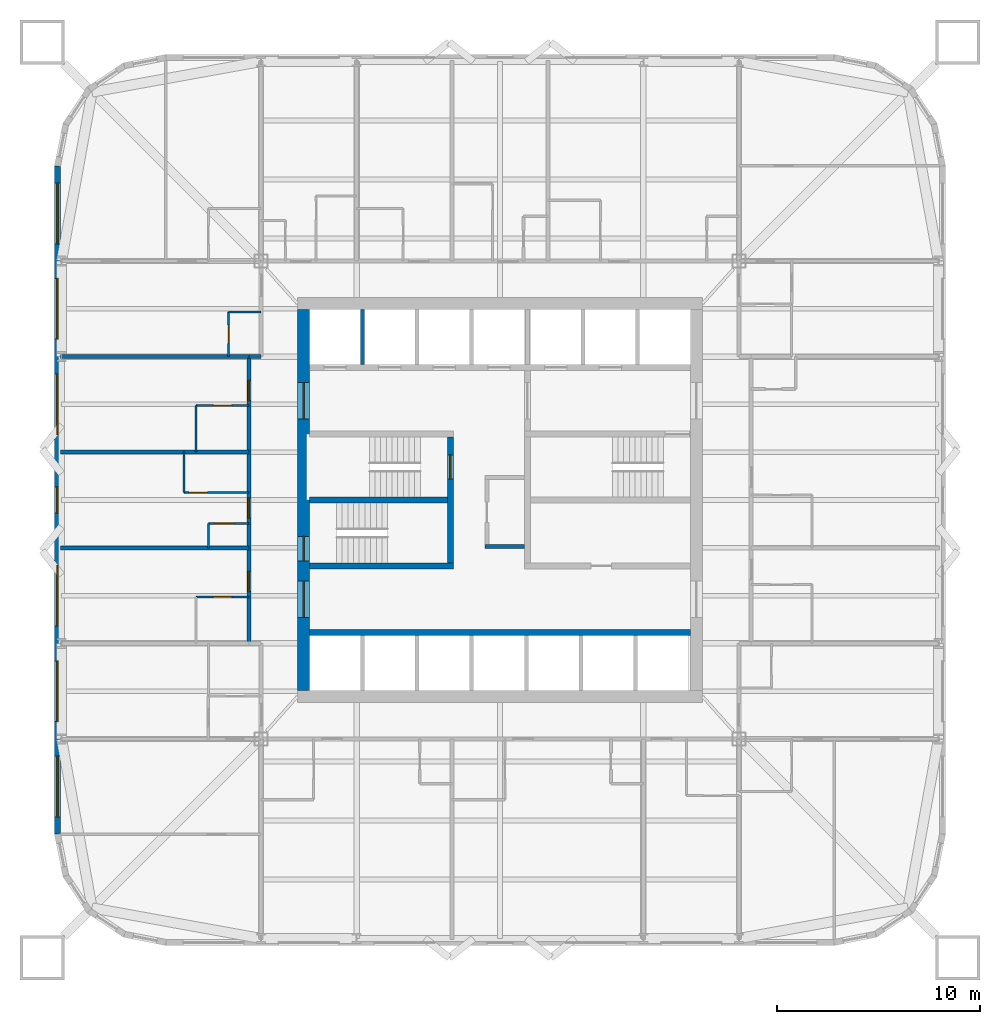
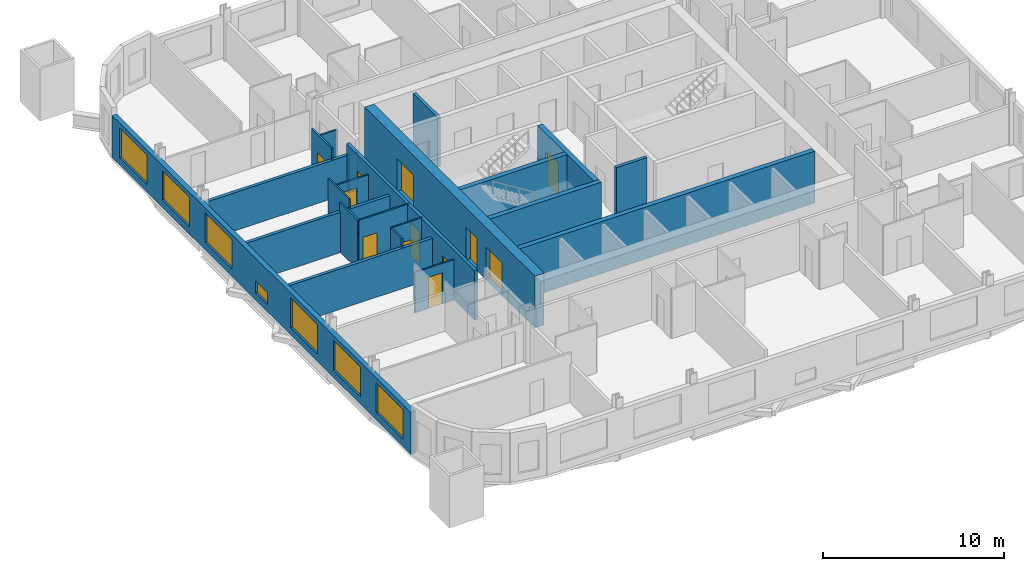
# One storey, part 4 of 10: 22 walls, 12 doors, 7 windows, 19 openings.
"""IFC4 building model written with IfcOpenShell, lengths in metres."""

from ifc_helpers import new_model, si_unit, direction, frame, frame_2d, origin, place, context, subcontext, project, spatial, rectangle, extrude, material, layer, layer_set, type_object, element, fill, save


model = new_model("IFC4")

# Units and contexts
model_context = context("Model", 3, precision=1e-05, world=origin(), true_north=direction((0.0, 1.0)))
body_context = subcontext(model_context, "Body", "Model", "MODEL_VIEW")
ifc_project = project(units=[si_unit("LENGTHUNIT", "METRE"), si_unit("AREAUNIT", "SQUARE_METRE"), si_unit("VOLUMEUNIT", "CUBIC_METRE"), si_unit("PLANEANGLEUNIT", "RADIAN"), si_unit("MASSUNIT", "GRAM", prefix="KILO")], contexts=[model_context])

# Site, building, storey
site_placement = place(None, origin())
site = spatial("IfcSite", under=ifc_project, at=site_placement, CompositionType="ELEMENT")
building_placement = place(site_placement, origin())
building = spatial("IfcBuilding", under=site, at=building_placement, Name="Turquesa Mirador Hotel Tower", CompositionType="ELEMENT")
storey_placement = place(building_placement, frame((0.0, 0.0, 53.0)))
storey = spatial("IfcBuildingStorey", under=building, at=storey_placement, Name="L13", CompositionType="ELEMENT", Elevation=53.0)

# Wall, opening, door
ifc_material_1 = material(Name="Gypsum board on steel studs", Category="steel")
ifc_layer_1 = layer(ifc_material_1, 0.10009765625)
ifc_layer_set_1 = layer_set([ifc_layer_1], Name="BATHROOM WALL 100")
wall_type_1 = type_object("IfcWallType", Name="BATHROOM WALL 100", PredefinedType="PARTITIONING", material=ifc_layer_set_1)
wall_1_placement = place(storey_placement, frame((40.60009765625, 43.840087890625, 0.0), z_axis=(0.0, 0.0, 1.0), x_axis=(1.0, 0.0, 0.0)))
wall_1 = element("IfcWall", 1, at=wall_1_placement, inside=storey, type_object=wall_type_1, Name="Partition L13 001", PredefinedType="PARTITIONING", context=body_context, shape_type="SweptSolid", body=[
    extrude(rectangle(XDim=2.0, YDim=0.10009765625, at=frame_2d((1.0, 0.0))), origin(), (0.0, 0.0, 1.0), 3.330078125),
])
opening_1_placement = place(wall_1_placement, frame((0.35009765625, 0.0, 0.0)))
opening_1 = element("IfcOpeningElement", 2, at=opening_1_placement, cuts=wall_1, Name="Opening D06", PredefinedType="OPENING", context=body_context, shape_type="SweptSolid", body=[
    extrude(rectangle(XDim=0.89990234375, YDim=2.10009765625, at=frame_2d((0.449951171875, 1.050048828125))), frame((0.0, 0.06005859375, 0.0), z_axis=(0.0, -1.0, 0.0), x_axis=(1.0, 0.0, 0.0)), (0.0, 0.0, 1.0), 0.1201171875),
])
ifc_material_2 = material(Name="Laminate door", Category="wood")
door_type_1 = type_object("IfcDoorType", Name="DOOR 900X2100 WC", OperationType="SINGLE_SWING_LEFT", PredefinedType="DOOR", material=ifc_material_2)
door_1_placement = place(opening_1_placement, origin())
door_1 = element("IfcDoor", 3, at=door_1_placement, inside=storey, type_object=door_type_1, Name="Door 1311W", OperationType="SINGLE_SWING_LEFT", OverallHeight=2.10009765625, OverallWidth=0.89990234375, PredefinedType="DOOR", context=body_context, shape_type="SweptSolid", body=[
    extrude(rectangle(XDim=0.89990234375, YDim=2.10009765625, at=frame_2d((0.449951171875, 1.050048828125))), frame((0.0, 0.02490234375, 0.0), z_axis=(0.0, -1.0, 0.0), x_axis=(1.0, 0.0, 0.0)), (0.0, 0.0, 1.0), 0.050048828125),
])
fill(opening_1, door_1)

wall_2_placement = place(storey_placement, frame((40.0, 40.219970703125, 0.0), z_axis=(0.0, 0.0, 1.0), x_axis=(1.0, 0.0, 0.0)))
wall_2 = element("IfcWall", 4, at=wall_2_placement, inside=storey, type_object=wall_type_1, Name="Partition L13 016", PredefinedType="PARTITIONING", context=body_context, shape_type="SweptSolid", body=[
    extrude(rectangle(XDim=2.60009765625, YDim=0.10009765625, at=frame_2d((1.300048828125, 0.0))), origin(), (0.0, 0.0, 1.0), 2.722900390625),
])
opening_2_placement = place(wall_2_placement, frame((0.85009765625, 0.0, 0.0)))
opening_2 = element("IfcOpeningElement", 5, at=opening_2_placement, cuts=wall_2, Name="Opening D02", PredefinedType="OPENING", context=body_context, shape_type="SweptSolid", body=[
    extrude(rectangle(XDim=0.89990234375, YDim=2.10009765625, at=frame_2d((0.449951171875, 1.050048828125))), frame((0.0, 0.06005859375, 0.0), z_axis=(0.0, -1.0, 0.0), x_axis=(1.0, 0.0, 0.0)), (0.0, 0.0, 1.0), 0.1201171875),
])
ifc_material_3 = material(Name="Timber veneered door", Category="wood")
door_type_2 = type_object("IfcDoorType", Name="DOOR 900X2100 EN-SUITE", OperationType="SINGLE_SWING_RIGHT", PredefinedType="DOOR", material=ifc_material_3)
door_2_placement = place(opening_2_placement, origin())
door_2 = element("IfcDoor", 6, at=door_2_placement, inside=storey, type_object=door_type_2, Name="Door 1310B", OperationType="SINGLE_SWING_RIGHT", OverallHeight=2.10009765625, OverallWidth=0.89990234375, PredefinedType="DOOR", context=body_context, shape_type="SweptSolid", body=[
    extrude(rectangle(XDim=0.89990234375, YDim=2.10009765625, at=frame_2d((0.449951171875, 1.050048828125))), frame((0.0, 0.02490234375, 0.0), z_axis=(0.0, -1.0, 0.0), x_axis=(1.0, 0.0, 0.0)), (0.0, 0.0, 1.0), 0.050048828125),
])
fill(opening_2, door_2)

wall_3_placement = place(storey_placement, frame((39.39990234375, 45.360107421875, 0.0), z_axis=(0.0, 0.0, 1.0), x_axis=(1.0, 0.0, 0.0)))
wall_3 = element("IfcWall", 7, at=wall_3_placement, inside=storey, type_object=wall_type_1, Name="Partition L13 024", PredefinedType="PARTITIONING", context=body_context, shape_type="SweptSolid", body=[
    extrude(rectangle(XDim=3.2001953125, YDim=0.10009765625, at=frame_2d((1.60009765625, 0.0))), origin(), (0.0, 0.0, 1.0), 3.330078125),
])
opening_3_placement = place(wall_3_placement, frame((0.25, 0.0, 0.0)))
opening_3 = element("IfcOpeningElement", 8, at=opening_3_placement, cuts=wall_3, Name="Opening D02", PredefinedType="OPENING", context=body_context, shape_type="SweptSolid", body=[
    extrude(rectangle(XDim=0.89990234375, YDim=2.10009765625, at=frame_2d((0.449951171875, 1.050048828125))), frame((0.0, 0.06005859375, 0.0), z_axis=(0.0, -1.0, 0.0), x_axis=(1.0, 0.0, 0.0)), (0.0, 0.0, 1.0), 0.1201171875),
])
door_3_placement = place(opening_3_placement, origin())
door_3 = element("IfcDoor", 9, at=door_3_placement, inside=storey, type_object=door_type_2, Name="Door 1311B", OperationType="SINGLE_SWING_RIGHT", OverallHeight=2.10009765625, OverallWidth=0.89990234375, PredefinedType="DOOR", context=body_context, shape_type="SweptSolid", body=[
    extrude(rectangle(XDim=0.89990234375, YDim=2.10009765625, at=frame_2d((0.449951171875, 1.050048828125))), frame((0.0, 0.02490234375, 0.0), z_axis=(0.0, -1.0, 0.0), x_axis=(1.0, 0.0, 0.0)), (0.0, 0.0, 1.0), 0.050048828125),
])
fill(opening_3, door_3)

wall_4_placement = place(storey_placement, frame((40.0, 49.659912109375, 0.0), z_axis=(0.0, 0.0, 1.0), x_axis=(1.0, 0.0, 0.0)))
wall_4 = element("IfcWall", 10, at=wall_4_placement, inside=storey, type_object=wall_type_1, Name="Partition L13 039", PredefinedType="PARTITIONING", context=body_context, shape_type="SweptSolid", body=[
    extrude(rectangle(XDim=2.60009765625, YDim=0.10009765625, at=frame_2d((1.300048828125, 0.0))), origin(), (0.0, 0.0, 1.0), 2.722900390625),
])
opening_4_placement = place(wall_4_placement, frame((0.85009765625, 0.0, 0.0)))
opening_4 = element("IfcOpeningElement", 11, at=opening_4_placement, cuts=wall_4, Name="Opening D02", PredefinedType="OPENING", context=body_context, shape_type="SweptSolid", body=[
    extrude(rectangle(XDim=0.89990234375, YDim=2.10009765625, at=frame_2d((0.449951171875, 1.050048828125))), frame((0.0, 0.06005859375, 0.0), z_axis=(0.0, -1.0, 0.0), x_axis=(1.0, 0.0, 0.0)), (0.0, 0.0, 1.0), 0.1201171875),
])
door_4_placement = place(opening_4_placement, origin())
door_4 = element("IfcDoor", 12, at=door_4_placement, inside=storey, type_object=door_type_2, Name="Door 1312B", OperationType="SINGLE_SWING_RIGHT", OverallHeight=2.10009765625, OverallWidth=0.89990234375, PredefinedType="DOOR", context=body_context, shape_type="SweptSolid", body=[
    extrude(rectangle(XDim=0.89990234375, YDim=2.10009765625, at=frame_2d((0.449951171875, 1.050048828125))), frame((0.0, 0.02490234375, 0.0), z_axis=(0.0, -1.0, 0.0), x_axis=(1.0, 0.0, 0.0)), (0.0, 0.0, 1.0), 0.050048828125),
])
fill(opening_4, door_4)

# Wall
wall_5_placement = place(storey_placement, frame((41.60009765625, 54.280029296875, 0.0), z_axis=(0.0, 0.0, 1.0), x_axis=(1.0, 0.0, 0.0)))
element("IfcWall", 13, at=wall_5_placement, inside=storey, type_object=wall_type_1, Name="Partition L13 046", PredefinedType="PARTITIONING", context=body_context, shape_type="SweptSolid", body=[
    extrude(rectangle(XDim=1.599853515625, YDim=0.10009765625, at=frame_2d((0.7998046875, 0.0))), origin(), (0.0, 0.0, 1.0), 2.722900390625),
])

# Wall, opening, door
wall_6_placement = place(storey_placement, frame((41.60009765625, 52.080078125, 0.0), z_axis=(0.0, 0.0, 1.0), x_axis=(0.0, 1.0, 0.0)))
wall_6 = element("IfcWall", 14, at=wall_6_placement, inside=storey, type_object=wall_type_1, Name="Partition L13 055", PredefinedType="PARTITIONING", context=body_context, shape_type="SweptSolid", body=[
    extrude(rectangle(XDim=2.199951171875, YDim=0.10009765625, at=frame_2d((1.10009765625, 0.0))), origin(), (0.0, 0.0, 1.0), 3.330078125),
])
opening_5_placement = place(wall_6_placement, frame((0.64990234375, 0.0, 0.0)))
opening_5 = element("IfcOpeningElement", 15, at=opening_5_placement, cuts=wall_6, Name="Opening D06", PredefinedType="OPENING", context=body_context, shape_type="SweptSolid", body=[
    extrude(rectangle(XDim=0.89990234375, YDim=2.10009765625, at=frame_2d((0.449951171875, 1.050048828125))), frame((0.0, 0.06005859375, 0.0), z_axis=(0.0, -1.0, 0.0), x_axis=(1.0, 0.0, 0.0)), (0.0, 0.0, 1.0), 0.1201171875),
])
door_5_placement = place(opening_5_placement, origin())
door_5 = element("IfcDoor", 16, at=door_5_placement, inside=storey, type_object=door_type_1, Name="Door 1314W", OperationType="SINGLE_SWING_LEFT", OverallHeight=2.10009765625, OverallWidth=0.89990234375, PredefinedType="DOOR", context=body_context, shape_type="SweptSolid", body=[
    extrude(rectangle(XDim=0.89990234375, YDim=2.10009765625, at=frame_2d((0.449951171875, 1.050048828125))), frame((0.0, 0.02490234375, 0.0), z_axis=(0.0, -1.0, 0.0), x_axis=(1.0, 0.0, 0.0)), (0.0, 0.0, 1.0), 0.050048828125),
])
fill(opening_5, door_5)

# Walls
wall_7_placement = place(storey_placement, frame((40.60009765625, 42.639892578125, 0.0), z_axis=(0.0, 0.0, 1.0), x_axis=(0.0, 1.0, 0.0)))
element("IfcWall", 17, at=wall_7_placement, inside=storey, type_object=wall_type_1, Name="Partition L13 057", PredefinedType="PARTITIONING", context=body_context, shape_type="SweptSolid", body=[
    extrude(rectangle(XDim=1.2001953125, YDim=0.10009765625, at=frame_2d((0.60009765625, 0.0))), origin(), (0.0, 0.0, 1.0), 3.330078125),
])
wall_8_placement = place(storey_placement, frame((40.0, 47.360107421875, 0.0), z_axis=(0.0, 0.0, 1.0), x_axis=(0.0, 1.0, 0.0)))
element("IfcWall", 18, at=wall_8_placement, inside=storey, type_object=wall_type_1, Name="Partition L13 061", PredefinedType="PARTITIONING", context=body_context, shape_type="SweptSolid", body=[
    extrude(rectangle(XDim=2.2998046875, YDim=0.10009765625, at=frame_2d((1.14990234375, 0.0))), origin(), (0.0, 0.0, 1.0), 3.330078125),
])
wall_9_placement = place(storey_placement, frame((39.39990234375, 45.360107421875, 0.0), z_axis=(0.0, 0.0, 1.0), x_axis=(0.0, 1.0, 0.0)))
element("IfcWall", 19, at=wall_9_placement, inside=storey, type_object=wall_type_1, Name="Partition L13 062", PredefinedType="PARTITIONING", context=body_context, shape_type="SweptSolid", body=[
    extrude(rectangle(XDim=2.0, YDim=0.10009765625, at=frame_2d((1.0, 0.0))), origin(), (0.0, 0.0, 1.0), 3.330078125),
])
ifc_material_4 = material(Name="Concrete C50/60", Category="concrete")
ifc_layer_2 = layer(ifc_material_4, 0.300048828125)
ifc_layer_set_2 = layer_set([ifc_layer_2], Name="CORE INNER WALL 300")
wall_type_2 = type_object("IfcWallType", Name="CORE INNER WALL 300", PredefinedType="SHEAR", material=ifc_layer_set_2)
wall_10_placement = place(storey_placement, frame((45.60009765625, 38.449951171875, 0.0), z_axis=(0.0, 0.0, 1.0), x_axis=(1.0, 0.0, 0.0)))
element("IfcWall", 20, at=wall_10_placement, inside=storey, type_object=wall_type_2, Name="Core wall SL", PredefinedType="SHEAR", context=body_context, shape_type="SweptSolid", body=[
    extrude(rectangle(XDim=18.7998046875, YDim=0.300048828125, at=frame_2d((9.39990234375, 0.0))), origin(), (0.0, 0.0, 1.0), 3.5),
])
wall_11_placement = place(storey_placement, frame((45.60009765625, 41.75, 0.0), z_axis=(0.0, 0.0, 1.0), x_axis=(1.0, 0.0, 0.0)))
element("IfcWall", 21, at=wall_11_placement, inside=storey, type_object=wall_type_2, Name="Core wall MS-W", PredefinedType="SHEAR", context=body_context, shape_type="SweptSolid", body=[
    extrude(rectangle(XDim=7.099853515625, YDim=0.300048828125, at=frame_2d((3.5498046875, 0.0))), origin(), (0.0, 0.0, 1.0), 3.5),
])

# Wall, opening, door
wall_12_placement = place(storey_placement, frame((52.550048828125, 41.89990234375, 0.0), z_axis=(0.0, 0.0, 1.0), x_axis=(0.0, 1.0, 0.0)))
wall_12 = element("IfcWall", 22, at=wall_12_placement, inside=storey, type_object=wall_type_2, Name="Core wall PW", PredefinedType="SHEAR", context=body_context, shape_type="SweptSolid", body=[
    extrude(rectangle(XDim=6.2001953125, YDim=0.300048828125, at=frame_2d((3.10009765625, 0.0))), origin(), (0.0, 0.0, 1.0), 3.5),
])
opening_6_placement = place(wall_12_placement, frame((4.125, 0.0, 0.0)))
opening_6 = element("IfcOpeningElement", 23, at=opening_6_placement, cuts=wall_12, Name="Opening D03", PredefinedType="OPENING", context=body_context, shape_type="SweptSolid", body=[
    extrude(rectangle(XDim=1.199951171875, YDim=2.199951171875, at=frame_2d((0.60009765625, 1.10009765625))), frame((0.0, 0.159912109375, 0.0), z_axis=(0.0, -1.0, 0.0), x_axis=(1.0, 0.0, 0.0)), (0.0, 0.0, 1.0), 0.320068359375),
])
ifc_material_5 = material(Name="Steel fire door", Category="steel")
door_type_3 = type_object("IfcDoorType", Name="DOOR 1200X2200 STAIR", OperationType="SINGLE_SWING_LEFT", PredefinedType="DOOR", material=ifc_material_5)
door_6_placement = place(opening_6_placement, origin())
door_6 = element("IfcDoor", 24, at=door_6_placement, inside=storey, type_object=door_type_3, Name="Stair ST1 door", OperationType="SINGLE_SWING_LEFT", OverallHeight=2.199951171875, OverallWidth=1.199951171875, PredefinedType="DOOR", context=body_context, shape_type="SweptSolid", body=[
    extrude(rectangle(XDim=1.199951171875, YDim=2.199951171875, at=frame_2d((0.60009765625, 1.10009765625))), frame((0.0, 0.02490234375, 0.0), z_axis=(0.0, -1.0, 0.0), x_axis=(1.0, 0.0, 0.0)), (0.0, 0.0, 1.0), 0.050048828125),
])
fill(opening_6, door_6)

# Wall
wall_13_placement = place(storey_placement, frame((45.60009765625, 45.0, 0.0), z_axis=(0.0, 0.0, 1.0), x_axis=(1.0, 0.0, 0.0)))
element("IfcWall", 25, at=wall_13_placement, inside=storey, type_object=wall_type_2, Name="Core wall M0-W", PredefinedType="SHEAR", context=body_context, shape_type="SweptSolid", body=[
    extrude(rectangle(XDim=6.7998046875, YDim=0.300048828125, at=frame_2d((3.39990234375, 0.0))), origin(), (0.0, 0.0, 1.0), 3.5),
])

# Wall, openings, doors
ifc_material_6 = material(Name="Concrete C50/60", Category="concrete")
ifc_layer_3 = layer(ifc_material_6, 0.60009765625)
ifc_layer_set_3 = layer_set([ifc_layer_3], Name="CORE WALL 600")
wall_type_3 = type_object("IfcWallType", Name="CORE WALL 600", PredefinedType="SHEAR", material=ifc_layer_set_3)
wall_14_placement = place(storey_placement, frame((45.300048828125, 35.60009765625, 0.0), z_axis=(0.0, 0.0, 1.0), x_axis=(0.0, 1.0, 0.0)))
wall_14 = element("IfcWall", 26, at=wall_14_placement, inside=storey, type_object=wall_type_3, Name="Core wall W", PredefinedType="SHEAR", context=body_context, shape_type="SweptSolid", body=[
    extrude(rectangle(XDim=18.7998046875, YDim=0.60009765625, at=frame_2d((9.39990234375, 0.0))), origin(), (0.0, 0.0, 1.0), 3.5),
])
opening_7_placement = place(wall_14_placement, frame((13.39990234375, 0.0, 0.0)))
opening_7 = element("IfcOpeningElement", 27, at=opening_7_placement, cuts=wall_14, Name="Opening D04", PredefinedType="OPENING", context=body_context, shape_type="SweptSolid", body=[
    extrude(rectangle(XDim=1.800048828125, YDim=2.199951171875, at=frame_2d((0.89990234375, 1.10009765625))), frame((0.0, 0.31005859375, 0.0), z_axis=(0.0, -1.0, 0.0), x_axis=(1.0, 0.0, 0.0)), (0.0, 0.0, 1.0), 0.6201171875),
])
opening_8_placement = place(wall_14_placement, frame((3.60009765625, 0.0, 0.0)))
opening_8 = element("IfcOpeningElement", 28, at=opening_8_placement, cuts=wall_14, Name="Opening D04", PredefinedType="OPENING", context=body_context, shape_type="SweptSolid", body=[
    extrude(rectangle(XDim=1.800048828125, YDim=2.199951171875, at=frame_2d((0.89990234375, 1.10009765625))), frame((0.0, 0.31005859375, 0.0), z_axis=(0.0, -1.0, 0.0), x_axis=(1.0, 0.0, 0.0)), (0.0, 0.0, 1.0), 0.6201171875),
])
opening_9_placement = place(wall_14_placement, frame((6.39990234375, 0.0, 0.0)))
opening_9 = element("IfcOpeningElement", 29, at=opening_9_placement, cuts=wall_14, Name="Opening D03", PredefinedType="OPENING", context=body_context, shape_type="SweptSolid", body=[
    extrude(rectangle(XDim=1.199951171875, YDim=2.199951171875, at=frame_2d((0.60009765625, 1.10009765625))), frame((0.0, 0.31005859375, 0.0), z_axis=(0.0, -1.0, 0.0), x_axis=(1.0, 0.0, 0.0)), (0.0, 0.0, 1.0), 0.6201171875),
])
door_7_placement = place(opening_9_placement, origin())
door_7 = element("IfcDoor", 30, at=door_7_placement, inside=storey, type_object=door_type_3, Name="Stair ST2 door", OperationType="SINGLE_SWING_LEFT", OverallHeight=2.199951171875, OverallWidth=1.199951171875, PredefinedType="DOOR", context=body_context, shape_type="SweptSolid", body=[
    extrude(rectangle(XDim=1.199951171875, YDim=2.199951171875, at=frame_2d((0.60009765625, 1.10009765625))), frame((0.0, 0.02490234375, 0.0), z_axis=(0.0, -1.0, 0.0), x_axis=(1.0, 0.0, 0.0)), (0.0, 0.0, 1.0), 0.050048828125),
])
fill(opening_9, door_7)
ifc_material_7 = material(Name="Steel fire door pair", Category="steel")
door_type_4 = type_object("IfcDoorType", Name="DOOR 1800X2200 PAIR", OperationType="DOUBLE_DOOR_SINGLE_SWING", PredefinedType="DOOR", material=ifc_material_7)
door_8_placement = place(opening_7_placement, origin())
door_8 = element("IfcDoor", 31, at=door_8_placement, inside=storey, type_object=door_type_4, Name="North lift lobby door", OperationType="DOUBLE_DOOR_SINGLE_SWING", OverallHeight=2.199951171875, OverallWidth=1.800048828125, PredefinedType="DOOR", context=body_context, shape_type="SweptSolid", body=[
    extrude(rectangle(XDim=1.800048828125, YDim=2.199951171875, at=frame_2d((0.89990234375, 1.10009765625))), frame((0.0, 0.02490234375, 0.0), z_axis=(0.0, -1.0, 0.0), x_axis=(1.0, 0.0, 0.0)), (0.0, 0.0, 1.0), 0.050048828125),
])
fill(opening_7, door_8)
door_9_placement = place(opening_8_placement, origin())
door_9 = element("IfcDoor", 32, at=door_9_placement, inside=storey, type_object=door_type_4, Name="South lift lobby door", OperationType="DOUBLE_DOOR_SINGLE_SWING", OverallHeight=2.199951171875, OverallWidth=1.800048828125, PredefinedType="DOOR", context=body_context, shape_type="SweptSolid", body=[
    extrude(rectangle(XDim=1.800048828125, YDim=2.199951171875, at=frame_2d((0.89990234375, 1.10009765625))), frame((0.0, 0.02490234375, 0.0), z_axis=(0.0, -1.0, 0.0), x_axis=(1.0, 0.0, 0.0)), (0.0, 0.0, 1.0), 0.050048828125),
])
fill(opening_8, door_9)

# Wall
ifc_material_8 = material(Name="Fire-rated gypsum board on steel studs", Category="steel")
ifc_layer_4 = layer(ifc_material_8, 0.199951171875)
ifc_layer_set_4 = layer_set([ifc_layer_4], Name="CORRIDOR WALL 200")
wall_type_4 = type_object("IfcWallType", Name="CORRIDOR WALL 200", PredefinedType="PARTITIONING", material=ifc_layer_set_4)
wall_15_placement = place(storey_placement, frame((42.60009765625, 52.080078125, 0.0), z_axis=(0.0, 0.0, 1.0), x_axis=(1.0, 0.0, 0.0)))
element("IfcWall", 33, at=wall_15_placement, inside=storey, type_object=wall_type_4, Name="Partition L13 041", PredefinedType="PARTITIONING", context=body_context, shape_type="SweptSolid", body=[
    extrude(rectangle(XDim=0.599853515625, YDim=0.199951171875, at=frame_2d((0.2998046875, 0.0))), origin(), (0.0, 0.0, 1.0), 2.572998046875),
])

# Wall, openings, doors
wall_16_placement = place(storey_placement, frame((42.60009765625, 37.919921875, 0.0), z_axis=(0.0, 0.0, 1.0), x_axis=(0.0, 1.0, 0.0)))
wall_16 = element("IfcWall", 34, at=wall_16_placement, inside=storey, type_object=wall_type_4, Name="Partition L13 054", PredefinedType="PARTITIONING", context=body_context, shape_type="SweptSolid", body=[
    extrude(rectangle(XDim=14.16015625, YDim=0.199951171875, at=frame_2d((7.080078125, 0.0))), origin(), (0.0, 0.0, 1.0), 3.330078125),
])
opening_10_placement = place(wall_16_placement, frame((2.550048828125, 0.0, 0.0)))
opening_10 = element("IfcOpeningElement", 35, at=opening_10_placement, cuts=wall_16, Name="Opening D01", PredefinedType="OPENING", context=body_context, shape_type="SweptSolid", body=[
    extrude(rectangle(XDim=1.0, YDim=2.199951171875, at=frame_2d((0.5, 1.10009765625))), frame((0.0, 0.10986328125, 0.0), z_axis=(0.0, -1.0, 0.0), x_axis=(1.0, 0.0, 0.0)), (0.0, 0.0, 1.0), 0.219970703125),
])
opening_11_placement = place(wall_16_placement, frame((6.179931640625, 0.0, 0.0)))
opening_11 = element("IfcOpeningElement", 36, at=opening_11_placement, cuts=wall_16, Name="Opening D01", PredefinedType="OPENING", context=body_context, shape_type="SweptSolid", body=[
    extrude(rectangle(XDim=1.0, YDim=2.199951171875, at=frame_2d((0.5, 1.10009765625))), frame((0.0, 0.10986328125, 0.0), z_axis=(0.0, -1.0, 0.0), x_axis=(1.0, 0.0, 0.0)), (0.0, 0.0, 1.0), 0.219970703125),
])
opening_12_placement = place(wall_16_placement, frame((11.989990234375, 0.0, 0.0)))
opening_12 = element("IfcOpeningElement", 37, at=opening_12_placement, cuts=wall_16, Name="Opening D01", PredefinedType="OPENING", context=body_context, shape_type="SweptSolid", body=[
    extrude(rectangle(XDim=1.0, YDim=2.199951171875, at=frame_2d((0.5, 1.10009765625))), frame((0.0, 0.10986328125, 0.0), z_axis=(0.0, -1.0, 0.0), x_axis=(1.0, 0.0, 0.0)), (0.0, 0.0, 1.0), 0.219970703125),
])
ifc_material_9 = material(Name="Timber veneered fire door", Category="wood")
door_type_5 = type_object("IfcDoorType", Name="DOOR 1000X2200 GUEST ENTRY", OperationType="SINGLE_SWING_LEFT", PredefinedType="DOOR", material=ifc_material_9)
door_10_placement = place(opening_10_placement, origin())
door_10 = element("IfcDoor", 38, at=door_10_placement, inside=storey, type_object=door_type_5, Name="Door 1310", OperationType="SINGLE_SWING_LEFT", OverallHeight=2.199951171875, OverallWidth=1.0, PredefinedType="DOOR", context=body_context, shape_type="SweptSolid", body=[
    extrude(rectangle(XDim=1.0, YDim=2.199951171875, at=frame_2d((0.5, 1.10009765625))), frame((0.0, 0.02490234375, 0.0), z_axis=(0.0, -1.0, 0.0), x_axis=(1.0, 0.0, 0.0)), (0.0, 0.0, 1.0), 0.050048828125),
])
fill(opening_10, door_10)
door_11_placement = place(opening_11_placement, origin())
door_11 = element("IfcDoor", 39, at=door_11_placement, inside=storey, type_object=door_type_5, Name="Door 1311", OperationType="SINGLE_SWING_LEFT", OverallHeight=2.199951171875, OverallWidth=1.0, PredefinedType="DOOR", context=body_context, shape_type="SweptSolid", body=[
    extrude(rectangle(XDim=1.0, YDim=2.199951171875, at=frame_2d((0.5, 1.10009765625))), frame((0.0, 0.02490234375, 0.0), z_axis=(0.0, -1.0, 0.0), x_axis=(1.0, 0.0, 0.0)), (0.0, 0.0, 1.0), 0.050048828125),
])
fill(opening_11, door_11)
door_12_placement = place(opening_12_placement, origin())
door_12 = element("IfcDoor", 40, at=door_12_placement, inside=storey, type_object=door_type_5, Name="Door 1312", OperationType="SINGLE_SWING_LEFT", OverallHeight=2.199951171875, OverallWidth=1.0, PredefinedType="DOOR", context=body_context, shape_type="SweptSolid", body=[
    extrude(rectangle(XDim=1.0, YDim=2.199951171875, at=frame_2d((0.5, 1.10009765625))), frame((0.0, 0.02490234375, 0.0), z_axis=(0.0, -1.0, 0.0), x_axis=(1.0, 0.0, 0.0)), (0.0, 0.0, 1.0), 0.050048828125),
])
fill(opening_12, door_12)

# Wall, openings, windows
ifc_material_10 = material(Name="Limestone cladding on concrete block", Category="masonry")
ifc_layer_5 = layer(ifc_material_10, 0.300048828125)
ifc_layer_set_5 = layer_set([ifc_layer_5], Name="FACADE WALL 300 STONE SCREEN")
wall_type_5 = type_object("IfcWallType", Name="FACADE WALL 300 STONE SCREEN", PredefinedType="SOLIDWALL", material=ifc_layer_set_5)
wall_17_placement = place(storey_placement, frame((33.14990234375, 61.5, 0.0), z_axis=(0.0, 0.0, 1.0), x_axis=(0.0, -1.0, 0.0)))
wall_17 = element("IfcWall", 41, at=wall_17_placement, inside=storey, type_object=wall_type_5, Name="Facade wall L13 14", PredefinedType="SOLIDWALL", context=body_context, shape_type="SweptSolid", body=[
    extrude(rectangle(XDim=33.0, YDim=0.300048828125, at=frame_2d((16.5, 0.0))), origin(), (0.0, 0.0, 1.0), 2.830078125),
])
opening_13_placement = place(wall_17_placement, frame((0.85009765625, 0.0, 0.5)))
opening_13 = element("IfcOpeningElement", 42, at=opening_13_placement, cuts=wall_17, Name="Opening WN1", PredefinedType="OPENING", context=body_context, shape_type="SweptSolid", body=[
    extrude(rectangle(XDim=3.0, YDim=2.0, at=frame_2d((1.5, 1.0))), frame((0.0, 0.159912109375, 0.0), z_axis=(0.0, -1.0, 0.0), x_axis=(1.0, 0.0, 0.0)), (0.0, 0.0, 1.0), 0.320068359375),
])
opening_14_placement = place(wall_17_placement, frame((5.56005859375, 0.0, 0.5)))
opening_14 = element("IfcOpeningElement", 43, at=opening_14_placement, cuts=wall_17, Name="Opening WN1", PredefinedType="OPENING", context=body_context, shape_type="SweptSolid", body=[
    extrude(rectangle(XDim=3.0, YDim=2.0, at=frame_2d((1.5, 1.0))), frame((0.0, 0.159912109375, 0.0), z_axis=(0.0, -1.0, 0.0), x_axis=(1.0, 0.0, 0.0)), (0.0, 0.0, 1.0), 0.320068359375),
])
opening_15_placement = place(wall_17_placement, frame((10.280029296875, 0.0, 0.5)))
opening_15 = element("IfcOpeningElement", 44, at=opening_15_placement, cuts=wall_17, Name="Opening WN1", PredefinedType="OPENING", context=body_context, shape_type="SweptSolid", body=[
    extrude(rectangle(XDim=3.0, YDim=2.0, at=frame_2d((1.5, 1.0))), frame((0.0, 0.159912109375, 0.0), z_axis=(0.0, -1.0, 0.0), x_axis=(1.0, 0.0, 0.0)), (0.0, 0.0, 1.0), 0.320068359375),
])
opening_16_placement = place(wall_17_placement, frame((15.85009765625, 0.0, 0.5)))
opening_16 = element("IfcOpeningElement", 45, at=opening_16_placement, cuts=wall_17, Name="Opening WN41", PredefinedType="OPENING", context=body_context, shape_type="SweptSolid", body=[
    extrude(rectangle(XDim=1.300048828125, YDim=0.800048828125, at=frame_2d((0.64990234375, 0.39990234375))), frame((0.0, 0.159912109375, 0.0), z_axis=(0.0, -1.0, 0.0), x_axis=(1.0, 0.0, 0.0)), (0.0, 0.0, 1.0), 0.320068359375),
])
opening_17_placement = place(wall_17_placement, frame((19.719970703125, 0.0, 0.5)))
opening_17 = element("IfcOpeningElement", 46, at=opening_17_placement, cuts=wall_17, Name="Opening WN1", PredefinedType="OPENING", context=body_context, shape_type="SweptSolid", body=[
    extrude(rectangle(XDim=3.0, YDim=2.0, at=frame_2d((1.5, 1.0))), frame((0.0, 0.159912109375, 0.0), z_axis=(0.0, -1.0, 0.0), x_axis=(1.0, 0.0, 0.0)), (0.0, 0.0, 1.0), 0.320068359375),
])
opening_18_placement = place(wall_17_placement, frame((24.43994140625, 0.0, 0.5)))
opening_18 = element("IfcOpeningElement", 47, at=opening_18_placement, cuts=wall_17, Name="Opening WN1", PredefinedType="OPENING", context=body_context, shape_type="SweptSolid", body=[
    extrude(rectangle(XDim=3.0, YDim=2.0, at=frame_2d((1.5, 1.0))), frame((0.0, 0.159912109375, 0.0), z_axis=(0.0, -1.0, 0.0), x_axis=(1.0, 0.0, 0.0)), (0.0, 0.0, 1.0), 0.320068359375),
])
opening_19_placement = place(wall_17_placement, frame((29.14990234375, 0.0, 0.5)))
opening_19 = element("IfcOpeningElement", 48, at=opening_19_placement, cuts=wall_17, Name="Opening WN1", PredefinedType="OPENING", context=body_context, shape_type="SweptSolid", body=[
    extrude(rectangle(XDim=3.0, YDim=2.0, at=frame_2d((1.5, 1.0))), frame((0.0, 0.159912109375, 0.0), z_axis=(0.0, -1.0, 0.0), x_axis=(1.0, 0.0, 0.0)), (0.0, 0.0, 1.0), 0.320068359375),
])
ifc_material_11 = material(Name="Ceramic-fritted laminated glass", Category="glass")
window_type_1 = type_object("IfcWindowType", Name="FRITTED WINDOW 1300X800", PartitioningType="DOUBLE_PANEL_HORIZONTAL", PredefinedType="WINDOW", material=ifc_material_11)
window_1_placement = place(opening_16_placement, origin())
window_1 = element("IfcWindow", 49, at=window_1_placement, inside=storey, type_object=window_type_1, Name="Window L13", OverallHeight=0.800048828125, OverallWidth=1.300048828125, PartitioningType="SINGLE_PANEL", PredefinedType="WINDOW", context=body_context, shape_type="SweptSolid", body=[
    extrude(rectangle(XDim=1.300048828125, YDim=0.800048828125, at=frame_2d((0.64990234375, 0.39990234375))), frame((0.0, 0.030029296875, 0.0), z_axis=(0.0, -1.0, 0.0), x_axis=(1.0, 0.0, 0.0)), (0.0, 0.0, 1.0), 0.06005859375),
])
fill(opening_16, window_1)
ifc_material_12 = material(Name="Ceramic-fritted laminated glass", Category="glass")
window_type_2 = type_object("IfcWindowType", Name="FRITTED WINDOW 3000X2000", PartitioningType="DOUBLE_PANEL_HORIZONTAL", PredefinedType="WINDOW", material=ifc_material_12)
window_2_placement = place(opening_13_placement, origin())
window_2 = element("IfcWindow", 50, at=window_2_placement, inside=storey, type_object=window_type_2, Name="Window L13", OverallHeight=2.0, OverallWidth=3.0, PartitioningType="SINGLE_PANEL", PredefinedType="WINDOW", context=body_context, shape_type="SweptSolid", body=[
    extrude(rectangle(XDim=3.0, YDim=2.0, at=frame_2d((1.5, 1.0))), frame((0.0, 0.030029296875, 0.0), z_axis=(0.0, -1.0, 0.0), x_axis=(1.0, 0.0, 0.0)), (0.0, 0.0, 1.0), 0.06005859375),
])
fill(opening_13, window_2)
window_3_placement = place(opening_14_placement, origin())
window_3 = element("IfcWindow", 51, at=window_3_placement, inside=storey, type_object=window_type_2, Name="Window L13", OverallHeight=2.0, OverallWidth=3.0, PartitioningType="SINGLE_PANEL", PredefinedType="WINDOW", context=body_context, shape_type="SweptSolid", body=[
    extrude(rectangle(XDim=3.0, YDim=2.0, at=frame_2d((1.5, 1.0))), frame((0.0, 0.030029296875, 0.0), z_axis=(0.0, -1.0, 0.0), x_axis=(1.0, 0.0, 0.0)), (0.0, 0.0, 1.0), 0.06005859375),
])
fill(opening_14, window_3)
window_4_placement = place(opening_15_placement, origin())
window_4 = element("IfcWindow", 52, at=window_4_placement, inside=storey, type_object=window_type_2, Name="Window L13", OverallHeight=2.0, OverallWidth=3.0, PartitioningType="SINGLE_PANEL", PredefinedType="WINDOW", context=body_context, shape_type="SweptSolid", body=[
    extrude(rectangle(XDim=3.0, YDim=2.0, at=frame_2d((1.5, 1.0))), frame((0.0, 0.030029296875, 0.0), z_axis=(0.0, -1.0, 0.0), x_axis=(1.0, 0.0, 0.0)), (0.0, 0.0, 1.0), 0.06005859375),
])
fill(opening_15, window_4)
window_5_placement = place(opening_17_placement, origin())
window_5 = element("IfcWindow", 53, at=window_5_placement, inside=storey, type_object=window_type_2, Name="Window L13", OverallHeight=2.0, OverallWidth=3.0, PartitioningType="SINGLE_PANEL", PredefinedType="WINDOW", context=body_context, shape_type="SweptSolid", body=[
    extrude(rectangle(XDim=3.0, YDim=2.0, at=frame_2d((1.5, 1.0))), frame((0.0, 0.030029296875, 0.0), z_axis=(0.0, -1.0, 0.0), x_axis=(1.0, 0.0, 0.0)), (0.0, 0.0, 1.0), 0.06005859375),
])
fill(opening_17, window_5)
window_6_placement = place(opening_18_placement, origin())
window_6 = element("IfcWindow", 54, at=window_6_placement, inside=storey, type_object=window_type_2, Name="Window L13", OverallHeight=2.0, OverallWidth=3.0, PartitioningType="SINGLE_PANEL", PredefinedType="WINDOW", context=body_context, shape_type="SweptSolid", body=[
    extrude(rectangle(XDim=3.0, YDim=2.0, at=frame_2d((1.5, 1.0))), frame((0.0, 0.030029296875, 0.0), z_axis=(0.0, -1.0, 0.0), x_axis=(1.0, 0.0, 0.0)), (0.0, 0.0, 1.0), 0.06005859375),
])
fill(opening_18, window_6)
window_7_placement = place(opening_19_placement, origin())
window_7 = element("IfcWindow", 55, at=window_7_placement, inside=storey, type_object=window_type_2, Name="Window L13", OverallHeight=2.0, OverallWidth=3.0, PartitioningType="SINGLE_PANEL", PredefinedType="WINDOW", context=body_context, shape_type="SweptSolid", body=[
    extrude(rectangle(XDim=3.0, YDim=2.0, at=frame_2d((1.5, 1.0))), frame((0.0, 0.030029296875, 0.0), z_axis=(0.0, -1.0, 0.0), x_axis=(1.0, 0.0, 0.0)), (0.0, 0.0, 1.0), 0.06005859375),
])
fill(opening_19, window_7)

# Walls
ifc_material_13 = material(Name="Fire-rated gypsum board on steel studs", Category="steel")
ifc_layer_6 = layer(ifc_material_13, 0.199951171875)
ifc_layer_set_6 = layer_set([ifc_layer_6], Name="FIRE PARTITION 200")
wall_type_6 = type_object("IfcWallType", Name="FIRE PARTITION 200", PredefinedType="PARTITIONING", material=ifc_layer_set_6)
wall_18_placement = place(storey_placement, frame((54.25, 42.699951171875, 0.0), z_axis=(0.0, 0.0, 1.0), x_axis=(1.0, 0.0, 0.0)))
element("IfcWall", 56, at=wall_18_placement, inside=storey, type_object=wall_type_6, Name="Partition L13 GL S", PredefinedType="PARTITIONING", context=body_context, shape_type="SweptSolid", body=[
    extrude(rectangle(XDim=1.949951171875, YDim=0.199951171875, at=frame_2d((0.97509765625, 0.0))), origin(), (0.0, 0.0, 1.0), 3.330078125),
])
ifc_material_14 = material(Name="Fire-rated gypsum shaft wall on steel studs", Category="steel")
ifc_layer_7 = layer(ifc_material_14, 0.199951171875)
ifc_layer_set_7 = layer_set([ifc_layer_7], Name="LIFT SHAFT DIVIDER 200")
wall_type_7 = type_object("IfcWallType", Name="LIFT SHAFT DIVIDER 200", PredefinedType="PARTITIONING", material=ifc_layer_set_7)
wall_19_placement = place(storey_placement, frame((48.199951171875, 51.699951171875, 0.0), z_axis=(0.0, 0.0, 1.0), x_axis=(0.0, 1.0, 0.0)))
element("IfcWall", 57, at=wall_19_placement, inside=storey, type_object=wall_type_7, Name="Lift shaft divider", PredefinedType="PARTITIONING", context=body_context, shape_type="SweptSolid", body=[
    extrude(rectangle(XDim=2.699951171875, YDim=0.199951171875, at=frame_2d((1.35009765625, 0.0))), origin(), (0.0, 0.0, 1.0), 3.330078125),
])
ifc_material_15 = material(Name="Fire-rated gypsum board on steel studs", Category="steel")
ifc_layer_8 = layer(ifc_material_15, 0.199951171875)
ifc_layer_set_8 = layer_set([ifc_layer_8], Name="PARTY WALL 200")
wall_type_8 = type_object("IfcWallType", Name="PARTY WALL 200", PredefinedType="PARTITIONING", material=ifc_layer_set_8)
for number, where, z_axis, x_axis, name in (
    (58, (33.300048828125, 42.639892578125, 0.0), (0.0, 0.0, 1.0), (1.0, 0.0, 0.0), "Partition L13 013"),
    (59, (33.300048828125, 47.360107421875, 0.0), (0.0, 0.0, 1.0), (1.0, 0.0, 0.0), "Partition L13 038"),
):
    element("IfcWall", number, at=place(storey_placement, frame(where, z_axis=z_axis, x_axis=x_axis)), inside=storey, type_object=wall_type_8, Name=name, PredefinedType="PARTITIONING", context=body_context, shape_type="SweptSolid", body=[
        extrude(rectangle(XDim=9.300048828125, YDim=0.199951171875, at=frame_2d((4.64990234375, 0.0))), origin(), (0.0, 0.0, 1.0), 2.722900390625),
    ])
wall_20_placement = place(storey_placement, frame((33.300048828125, 52.080078125, 0.0), z_axis=(0.0, 0.0, 1.0), x_axis=(1.0, 0.0, 0.0)))
element("IfcWall", 60, at=wall_20_placement, inside=storey, type_object=wall_type_8, Name="Partition L13 043", PredefinedType="PARTITIONING", context=body_context, shape_type="SweptSolid", body=[
    extrude(rectangle(XDim=9.300048828125, YDim=0.199951171875, at=frame_2d((4.64990234375, 0.0))), origin(), (0.0, 0.0, 1.0), 2.572998046875),
])

save(model, "model.ifc")
